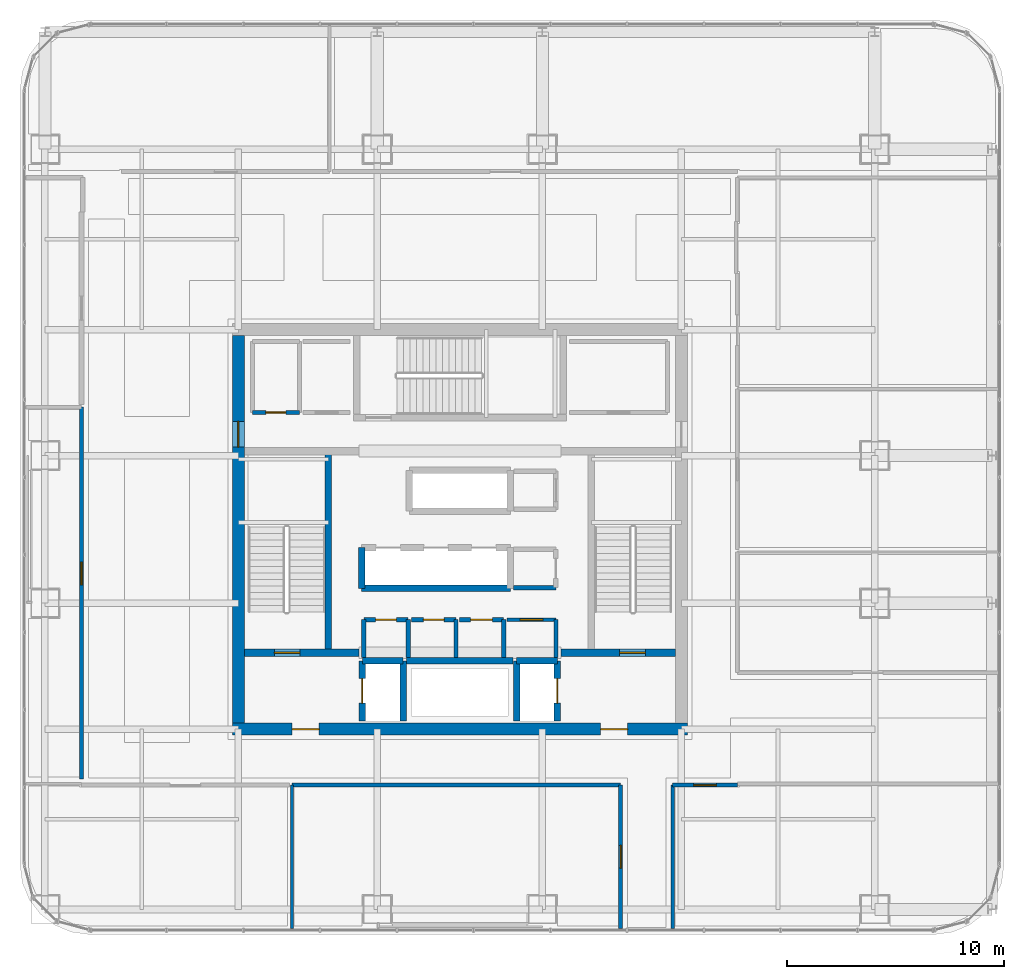
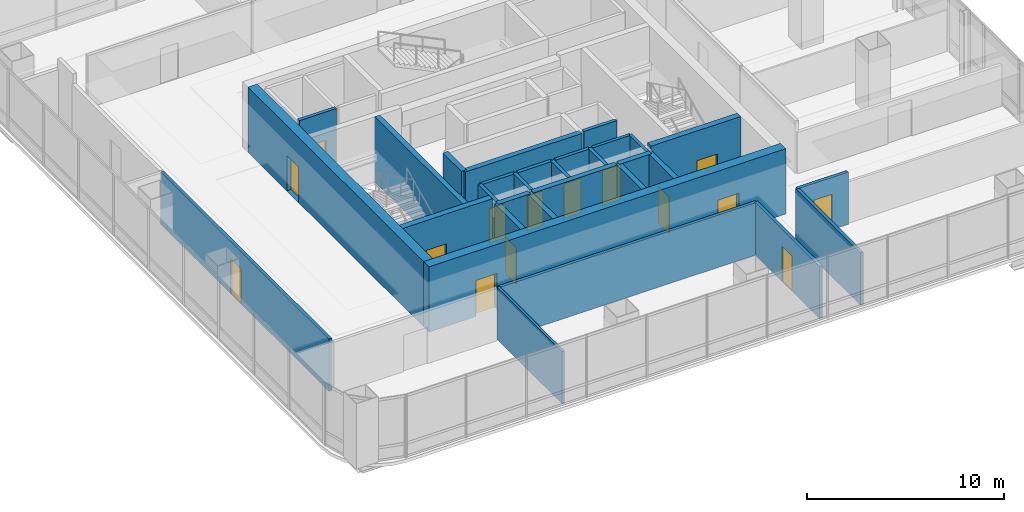
# One storey, part 33 of 42: 31 walls, 15 doors, 15 openings.
"""IFC4 building model written with IfcOpenShell, lengths in metres."""

import ifcopenshell
import ifcopenshell.guid

model = None  # the IFC model being written
_history = None  # IfcOwnerHistory: only IFC2X3 demands one
_inside = {}  # id of a spatial element -> (the spatial element, [elements in it])
_under = {}  # id of a project, library or spatial element -> (it, [spatial elements below it])
_declared = {}  # id of a project -> (the project, [libraries it declares])
_typed = {}  # id of a type object -> (the type object, [elements of that type])
_made_of = {}  # id of a material, layer set ... -> (it, [elements and type objects made of it])


def new_model(schema):
    """Start an empty IFC model of exactly this schema.

    Asked for "IFC4X3", IfcOpenShell would pick the latest addendum, in which some entities
    have other attributes; the version numbers below select the first issue.
    IFC2X3 requires an IfcOwnerHistory on every rooted entity: one is made here for all.
    """
    global model, _history
    if schema == "IFC4X3":
        model = ifcopenshell.file(schema_version=(4, 3, 0, 0))
    else:
        model = ifcopenshell.file(schema=schema)
    _inside.clear()
    _under.clear()
    _declared.clear()
    _typed.clear()
    _made_of.clear()
    _history = None
    if model.schema == "IFC2X3":
        org = make("IfcOrganization", Name="unknown")
        user = make(
            "IfcPersonAndOrganization",
            ThePerson=make("IfcPerson", FamilyName="unknown"),
            TheOrganization=org,
        )
        app = make(
            "IfcApplication",
            ApplicationDeveloper=org,
            Version="unknown",
            ApplicationFullName="unknown",
            ApplicationIdentifier="unknown",
        )
        _history = make(
            "IfcOwnerHistory",
            OwningUser=user,
            OwningApplication=app,
            ChangeAction="ADDED",
            CreationDate=0,
        )
    return model


def make(cls, **values):
    """One entity of the class cls with the attributes given. An attribute that is None is left unset."""
    return model.create_entity(
        cls, **{name: value for name, value in values.items() if value is not None}
    )


def rooted(cls, **values):
    """An entity with a GlobalId (a new one), such as an element, a storey or a relation."""
    return make(cls, GlobalId=ifcopenshell.guid.new(), OwnerHistory=_history, **values)


def si_unit(unit_type, name, prefix=None):
    """IfcSIUnit, for example si_unit("LENGTHUNIT", "METRE", prefix="MILLI")."""
    return make("IfcSIUnit", UnitType=unit_type, Prefix=prefix, Name=name)


def assignment(units):
    """IfcUnitAssignment: the units of a project."""
    return None if units is None else make("IfcUnitAssignment", Units=units)


def point(xyz):
    """IfcCartesianPoint."""
    return None if xyz is None else make("IfcCartesianPoint", Coordinates=xyz)


def direction(xyz):
    """IfcDirection."""
    return None if xyz is None else make("IfcDirection", DirectionRatios=xyz)


def frame(location, z_axis=None, x_axis=None):
    """IfcAxis2Placement3D, a coordinate frame: its origin and axes. An axis left out is left unset."""
    return make(
        "IfcAxis2Placement3D",
        Location=point(location),
        Axis=direction(z_axis),
        RefDirection=direction(x_axis),
    )


def frame_2d(location, x_axis=None):
    """IfcAxis2Placement2D, a coordinate frame in the plane: its origin and x axis."""
    return make(
        "IfcAxis2Placement2D", Location=point(location), RefDirection=direction(x_axis)
    )


def origin():
    """The frame at (0, 0, 0) with its axes left unset."""
    return frame((0.0, 0.0, 0.0))


def place(relative_to, where):
    """IfcLocalPlacement: puts the frame where relative to a parent placement (None: the world)."""
    return make(
        "IfcLocalPlacement", PlacementRelTo=relative_to, RelativePlacement=where
    )


def context(
    kind, dimensions, precision=None, world=None, true_north=None, identifier=None
):
    """IfcGeometricRepresentationContext, for example the 3D "Model" context."""
    return make(
        "IfcGeometricRepresentationContext",
        ContextIdentifier=identifier,
        ContextType=kind,
        CoordinateSpaceDimension=dimensions,
        Precision=precision,
        WorldCoordinateSystem=world,
        TrueNorth=true_north,
    )


def subcontext(parent, identifier, kind, view, scale=None):
    """IfcGeometricRepresentationSubContext, for example "Body" below "Model"."""
    return make(
        "IfcGeometricRepresentationSubContext",
        ContextIdentifier=identifier,
        ContextType=kind,
        ParentContext=parent,
        TargetScale=scale,
        TargetView=view,
    )


def project(units=None, contexts=None):
    """IfcProject with its units and contexts."""
    return rooted(
        "IfcProject",
        Name="project",
        RepresentationContexts=contexts,
        UnitsInContext=assignment(units),
    )


def spatial(cls, under=None, at=None, **own):
    """A site, building, storey or space (cls), placed at a placement, below another one or the project."""
    s = rooted(cls, ObjectPlacement=at, **own)
    if under is not None:
        _under.setdefault(under.id(), (under, []))[1].append(s)
    return s


def profile(cls, at=None, kind="AREA", **sizes):
    """A parametric profile (cls). Its sizes go by their IFC names, for example OverallWidth=200.0."""
    return make(cls, ProfileType=kind, Position=at, **sizes)


def rectangle(**sizes):
    """IfcRectangleProfileDef."""
    return profile("IfcRectangleProfileDef", **sizes)


def extrude(swept, where, along, depth):
    """IfcExtrudedAreaSolid: the profile swept, set in the frame where, extruded along a direction by depth."""
    return make(
        "IfcExtrudedAreaSolid",
        SweptArea=swept,
        Position=where,
        ExtrudedDirection=direction(along),
        Depth=depth,
    )


def shape(context_of_items, identifier, shape_type, items):
    """IfcShapeRepresentation: the items that make up one representation, for example the "Body"."""
    return make(
        "IfcShapeRepresentation",
        ContextOfItems=context_of_items,
        RepresentationIdentifier=identifier,
        RepresentationType=shape_type,
        Items=items,
    )


def material(Name=None, Category=None):
    """IfcMaterial."""
    return make("IfcMaterial", Name=Name, Category=Category)


def layer(
    of_material, thickness, ventilated=None, Name=None, Category=None, Priority=None
):
    """IfcMaterialLayer: one layer of a wall or slab, of a material (None: an air gap)."""
    return make(
        "IfcMaterialLayer",
        Material=of_material,
        LayerThickness=thickness,
        IsVentilated=ventilated,
        Name=Name,
        Category=Category,
        Priority=Priority,
    )


def layer_set(layers, Name=None):
    """IfcMaterialLayerSet."""
    return make("IfcMaterialLayerSet", MaterialLayers=layers, LayerSetName=Name)


def made_of(thing, what):
    """Note that an element or type object is made of a material, layer set ...; save() writes the relation."""
    if what is not None:
        _made_of.setdefault(what.id(), (what, []))[1].append(thing)
    return thing


def type_object(cls, material=None, **own):
    """A type object (cls), such as IfcWallType, which elements share."""
    return made_of(rooted(cls, **own), material)


def element(
    cls,
    number,
    at=None,
    inside=None,
    cuts=None,
    type_object=None,
    material=None,
    context=None,
    identifier="Body",
    shape_type=None,
    held_by="IfcProductDefinitionShape",
    body=None,
    shapes=None,
    **own,
):
    """One element of the class cls, such as IfcWall. Its Tag is "e" and its number.

    at: its placement. inside: the storey or other place that contains it. cuts: it is an
    opening in that element (IfcRelVoidsElement). A single representation is given by context,
    identifier, shape_type and body (its items); several are given by shapes. held_by: the class
    of the entity that holds the representations. save() writes the other relations.
    """
    e = rooted(cls, Tag="e%d" % number, ObjectPlacement=at, **own)
    if body is not None:
        shapes = [shape(context, identifier, shape_type, body)]
    if shapes is not None:
        e.Representation = make(held_by, Representations=shapes)
    if inside is not None:
        _inside.setdefault(inside.id(), (inside, []))[1].append(e)
    if cuts is not None:
        rooted(
            "IfcRelVoidsElement", RelatingBuildingElement=cuts, RelatedOpeningElement=e
        )
    if type_object is not None:
        _typed.setdefault(type_object.id(), (type_object, []))[1].append(e)
    return made_of(e, material)


def fill(opening, filler):
    """IfcRelFillsElement: the door or window that sits in an opening."""
    return rooted(
        "IfcRelFillsElement",
        RelatingOpeningElement=opening,
        RelatedBuildingElement=filler,
    )


def aggregate(whole, parts):
    """IfcRelAggregates: a whole, such as a stair, and the parts it consists of."""
    return rooted("IfcRelAggregates", RelatingObject=whole, RelatedObjects=parts)


def save(model, path):
    """Write the relations noted so far, then the file.

    IfcRelAggregates (storeys below a building ...), IfcRelContainedInSpatialStructure (elements
    in a storey), IfcRelDefinesByType, IfcRelAssociatesMaterial and IfcRelDeclares: one each for
    every whole, place, type object, material and project.
    """
    for whole, parts in _under.values():
        aggregate(whole, parts)
    for where, things in _inside.values():
        rooted(
            "IfcRelContainedInSpatialStructure",
            RelatedElements=things,
            RelatingStructure=where,
        )
    for kind, things in _typed.values():
        rooted("IfcRelDefinesByType", RelatedObjects=things, RelatingType=kind)
    for what, things in _made_of.values():
        rooted("IfcRelAssociatesMaterial", RelatedObjects=things, RelatingMaterial=what)
    for by, libraries in _declared.values():
        rooted("IfcRelDeclares", RelatingContext=by, RelatedDefinitions=libraries)
    model.write(path)


model = new_model("IFC4")

# Units and contexts
model_context = context("Model", 3, precision=1e-05, world=origin(), true_north=direction((0.0, 1.0)))
body_context = subcontext(model_context, "Body", "Model", "MODEL_VIEW")
ifc_project = project(units=[si_unit("LENGTHUNIT", "METRE"), si_unit("AREAUNIT", "SQUARE_METRE"), si_unit("VOLUMEUNIT", "CUBIC_METRE"), si_unit("PLANEANGLEUNIT", "RADIAN"), si_unit("MASSUNIT", "GRAM", prefix="KILO")], contexts=[model_context])

# Site, building, storey
site_placement = place(None, origin())
site = spatial("IfcSite", under=ifc_project, at=site_placement, CompositionType="ELEMENT")
building_placement = place(site_placement, origin())
building = spatial("IfcBuilding", under=site, at=building_placement, Name="Punatoya Terracotta Tower", CompositionType="ELEMENT")
storey_placement = place(building_placement, frame((0.0, 0.0, 259.5)))
storey = spatial("IfcBuildingStorey", under=building, at=storey_placement, Name="L61", CompositionType="ELEMENT", Elevation=259.5)

# Wall, openings, doors
ifc_material_1 = material(Name="Concrete C50/60", Category="concrete")
ifc_layer_1 = layer(ifc_material_1, 0.550048828125)
ifc_layer_set_1 = layer_set([ifc_layer_1], Name="Concrete C50/60")
wall_type_1 = type_object("IfcWallType", Name="WL-COR-550", PredefinedType="SHEAR", material=ifc_layer_set_1)
wall_1_placement = place(storey_placement, frame((10.47509765625, -9.199951171875, 0.0), z_axis=(0.0, 0.0, 1.0), x_axis=(-1.0, 0.0, 0.0)))
wall_1 = element("IfcWall", 1, at=wall_1_placement, inside=storey, type_object=wall_type_1, Name="L61 Core Shear Wall S", PredefinedType="SHEAR", context=body_context, shape_type="SweptSolid", body=[
    extrude(rectangle(XDim=20.9501953125, YDim=0.550048828125, at=frame_2d((10.47509765625, 0.0))), origin(), (0.0, 0.0, 1.0), 4.050048828125),
])
opening_1_placement = place(wall_1_placement, frame((2.75, 0.0, 0.0)))
opening_1 = element("IfcOpeningElement", 2, at=opening_1_placement, cuts=wall_1, Name="Opening FD-L1", PredefinedType="OPENING", context=body_context, shape_type="SweptSolid", body=[
    extrude(rectangle(XDim=1.25, YDim=2.25, at=frame_2d((0.625, 1.125))), frame((0.0, 0.284912109375, 0.0), z_axis=(0.0, -1.0, 0.0), x_axis=(1.0, 0.0, 0.0)), (0.0, 0.0, 1.0), 0.570068359375),
])
opening_2_placement = place(wall_1_placement, frame((16.949951171875, 0.0, 0.0)))
opening_2 = element("IfcOpeningElement", 3, at=opening_2_placement, cuts=wall_1, Name="Opening FD-L1", PredefinedType="OPENING", context=body_context, shape_type="SweptSolid", body=[
    extrude(rectangle(XDim=1.25, YDim=2.25, at=frame_2d((0.625, 1.125))), frame((0.0, 0.284912109375, 0.0), z_axis=(0.0, -1.0, 0.0), x_axis=(1.0, 0.0, 0.0)), (0.0, 0.0, 1.0), 0.570068359375),
])
ifc_material_2 = material(Name="Galvanised Steel Smokeproof Fire Door", Category="steel")
door_type_1 = type_object("IfcDoorType", Name="DR-FFL-1250", OperationType="NOTDEFINED", PredefinedType="DOOR", material=ifc_material_2)
door_1_placement = place(opening_1_placement, origin())
door_1 = element("IfcDoor", 4, at=door_1_placement, inside=storey, type_object=door_type_1, Name="L61 East Firefighting Lobby Corridor Fire Door", OperationType="SINGLE_SWING_LEFT", OverallHeight=2.25, OverallWidth=1.25, PredefinedType="DOOR", context=body_context, shape_type="SweptSolid", body=[
    extrude(rectangle(XDim=1.25, YDim=2.25, at=frame_2d((0.625, 1.125))), frame((0.0, 0.02490234375, 0.0), z_axis=(0.0, -1.0, 0.0), x_axis=(1.0, 0.0, 0.0)), (0.0, 0.0, 1.0), 0.050048828125),
])
fill(opening_1, door_1)
door_2_placement = place(opening_2_placement, origin())
door_2 = element("IfcDoor", 5, at=door_2_placement, inside=storey, type_object=door_type_1, Name="L61 West Firefighting Lobby Corridor Fire Door", OperationType="SINGLE_SWING_RIGHT", OverallHeight=2.25, OverallWidth=1.25, PredefinedType="DOOR", context=body_context, shape_type="SweptSolid", body=[
    extrude(rectangle(XDim=1.25, YDim=2.25, at=frame_2d((0.625, 1.125))), frame((0.0, 0.02490234375, 0.0), z_axis=(0.0, -1.0, 0.0), x_axis=(1.0, 0.0, 0.0)), (0.0, 0.0, 1.0), 0.050048828125),
])
fill(opening_2, door_2)

# Wall, opening, door
wall_2_placement = place(storey_placement, frame((-10.199951171875, -8.925048828125, 0.0), z_axis=(0.0, 0.0, 1.0), x_axis=(0.0, 1.0, 0.0)))
wall_2 = element("IfcWall", 6, at=wall_2_placement, inside=storey, type_object=wall_type_1, Name="L61 Core Shear Wall W", PredefinedType="SHEAR", context=body_context, shape_type="SweptSolid", body=[
    extrude(rectangle(XDim=17.85009765625, YDim=0.550048828125, at=frame_2d((8.925048828125, 0.0))), origin(), (0.0, 0.0, 1.0), 4.050048828125),
])
opening_3_placement = place(wall_2_placement, frame((12.715087890625, 0.0, 0.0)))
opening_3 = element("IfcOpeningElement", 7, at=opening_3_placement, cuts=wall_2, Name="Opening SD-01", PredefinedType="OPENING", context=body_context, shape_type="SweptSolid", body=[
    extrude(rectangle(XDim=1.179931640625, YDim=2.199951171875, at=frame_2d((0.58984375, 1.10009765625))), frame((0.0, 0.284912109375, 0.0), z_axis=(0.0, -1.0, 0.0), x_axis=(1.0, 0.0, 0.0)), (0.0, 0.0, 1.0), 0.570068359375),
])
ifc_material_3 = material(Name="Galvanised Steel Pressurized Stair Fire Door", Category="steel")
door_type_2 = type_object("IfcDoorType", Name="DR-STR-1180", OperationType="NOTDEFINED", PredefinedType="DOOR", material=ifc_material_3)
door_3_placement = place(opening_3_placement, origin())
door_3 = element("IfcDoor", 8, at=door_3_placement, inside=storey, type_object=door_type_2, Name="L61 Central Lift Lobby West Fire Door", OperationType="SINGLE_SWING_LEFT", OverallHeight=2.199951171875, OverallWidth=1.179931640625, PredefinedType="DOOR", context=body_context, shape_type="SweptSolid", body=[
    extrude(rectangle(XDim=1.179931640625, YDim=2.199951171875, at=frame_2d((0.58984375, 1.10009765625))), frame((0.0, 0.02490234375, 0.0), z_axis=(0.0, -1.0, 0.0), x_axis=(1.0, 0.0, 0.0)), (0.0, 0.0, 1.0), 0.050048828125),
])
fill(opening_3, door_3)

# Wall
ifc_material_4 = material(Name="Gypsum Fireboard + Steel Stud", Category="steel")
ifc_layer_2 = layer(ifc_material_4, 0.179931640625)
ifc_layer_set_2 = layer_set([ifc_layer_2], Name="Gypsum Fireboard + Steel Stud")
wall_type_2 = type_object("IfcWallType", Name="WL-CORR-180", PredefinedType="PARTITIONING", material=ifc_layer_set_2)
wall_3_placement = place(storey_placement, frame((4.419921875, -5.89990234375, 0.0), z_axis=(0.0, 0.0, 1.0), x_axis=(0.0, 1.0, 0.0)))
element("IfcWall", 9, at=wall_3_placement, inside=storey, type_object=wall_type_2, Name="L61 Core Reprographics Studio Partition 08", PredefinedType="PARTITIONING", context=body_context, shape_type="SweptSolid", body=[
    extrude(rectangle(XDim=1.739990234375, YDim=0.179931640625, at=frame_2d((0.8701171875, 0.0))), origin(), (0.0, 0.0, 1.0), 3.85009765625),
])

# Wall, opening, door
wall_4_placement = place(storey_placement, frame((4.419921875, -4.159912109375, 0.0), z_axis=(0.0, 0.0, 1.0), x_axis=(-1.0, 0.0, 0.0)))
wall_4 = element("IfcWall", 10, at=wall_4_placement, inside=storey, type_object=wall_type_2, Name="L61 Core Reprographics Studio Partition 09", PredefinedType="PARTITIONING", context=body_context, shape_type="SweptSolid", body=[
    extrude(rectangle(XDim=2.239990234375, YDim=0.179931640625, at=frame_2d((1.1201171875, 0.0))), origin(), (0.0, 0.0, 1.0), 3.85009765625),
])
opening_4_placement = place(wall_4_placement, frame((0.594970703125, 0.0, 0.0)))
opening_4 = element("IfcOpeningElement", 11, at=opening_4_placement, cuts=wall_4, Name="Opening OD-01", PredefinedType="OPENING", context=body_context, shape_type="SweptSolid", body=[
    extrude(rectangle(XDim=1.050048828125, YDim=2.199951171875, at=frame_2d((0.52490234375, 1.10009765625))), frame((0.0, 0.099853515625, 0.0), z_axis=(0.0, -1.0, 0.0), x_axis=(1.0, 0.0, 0.0)), (0.0, 0.0, 1.0), 0.199951171875),
])
ifc_material_5 = material(Name="Bengal Teak Solid-Core Leaf")
door_type_3 = type_object("IfcDoorType", Name="DR-OFF-1050", OperationType="NOTDEFINED", PredefinedType="DOOR", material=ifc_material_5)
door_4_placement = place(opening_4_placement, origin())
door_4 = element("IfcDoor", 12, at=door_4_placement, inside=storey, type_object=door_type_3, Name="L61 Reprographics Studio Door", OperationType="SINGLE_SWING_RIGHT", OverallHeight=2.199951171875, OverallWidth=1.050048828125, PredefinedType="DOOR", context=body_context, shape_type="SweptSolid", body=[
    extrude(rectangle(XDim=1.050048828125, YDim=2.199951171875, at=frame_2d((0.52490234375, 1.10009765625))), frame((0.0, 0.02490234375, 0.0), z_axis=(0.0, -1.0, 0.0), x_axis=(1.0, 0.0, 0.0)), (0.0, 0.0, 1.0), 0.050048828125),
])
fill(opening_4, door_4)

wall_5_placement = place(storey_placement, frame((7.39990234375, -11.77001953125, 0.0), z_axis=(0.0, 0.0, 1.0), x_axis=(0.0, -1.0, 0.0)))
wall_5 = element("IfcWall", 13, at=wall_5_placement, inside=storey, type_object=wall_type_2, Name="L61 Open-Plan Client Media Salon Partition 25", PredefinedType="PARTITIONING", context=body_context, shape_type="SweptSolid", body=[
    extrude(rectangle(XDim=6.60009765625, YDim=0.179931640625, at=frame_2d((3.300048828125, 0.0))), origin(), (0.0, 0.0, 1.0), 3.243896484375),
])
opening_5_placement = place(wall_5_placement, frame((2.77490234375, 0.0, 0.0)))
opening_5 = element("IfcOpeningElement", 14, at=opening_5_placement, cuts=wall_5, Name="Opening OD-01", PredefinedType="OPENING", context=body_context, shape_type="SweptSolid", body=[
    extrude(rectangle(XDim=1.050048828125, YDim=2.199951171875, at=frame_2d((0.52490234375, 1.10009765625))), frame((0.0, 0.099853515625, 0.0), z_axis=(0.0, -1.0, 0.0), x_axis=(1.0, 0.0, 0.0)), (0.0, 0.0, 1.0), 0.199951171875),
])
door_5_placement = place(opening_5_placement, origin())
door_5 = element("IfcDoor", 15, at=door_5_placement, inside=storey, type_object=door_type_3, Name="L61 Open-Plan Client Media Salon Door", OperationType="SINGLE_SWING_RIGHT", OverallHeight=2.199951171875, OverallWidth=1.050048828125, PredefinedType="DOOR", context=body_context, shape_type="SweptSolid", body=[
    extrude(rectangle(XDim=1.050048828125, YDim=2.199951171875, at=frame_2d((0.52490234375, 1.10009765625))), frame((0.0, 0.02490234375, 0.0), z_axis=(0.0, -1.0, 0.0), x_axis=(1.0, 0.0, 0.0)), (0.0, 0.0, 1.0), 0.050048828125),
])
fill(opening_5, door_5)

# Wall
wall_6_placement = place(storey_placement, frame((-7.72607421875, -11.77001953125, 0.0), z_axis=(0.0, 0.0, 1.0), x_axis=(1.0, 0.0, 0.0)))
element("IfcWall", 16, at=wall_6_placement, inside=storey, type_object=wall_type_2, Name="L61 Open-Plan Client Media Salon Partition 27", PredefinedType="PARTITIONING", context=body_context, shape_type="SweptSolid", body=[
    extrude(rectangle(XDim=15.1259765625, YDim=0.179931640625, at=frame_2d((7.56298828125, 0.0))), origin(), (0.0, 0.0, 1.0), 3.243896484375),
])

# Wall, opening, door
wall_7_placement = place(storey_placement, frame((9.800048828125, -11.77001953125, 0.0), z_axis=(0.0, 0.0, 1.0), x_axis=(1.0, 0.0, 0.0)))
wall_7 = element("IfcWall", 17, at=wall_7_placement, inside=storey, type_object=wall_type_2, Name="L61 Open-Plan Graphic Design Workplace Partition 30", PredefinedType="PARTITIONING", context=body_context, shape_type="SweptSolid", body=[
    extrude(rectangle(XDim=2.969970703125, YDim=0.179931640625, at=frame_2d((1.48486328125, 0.0))), origin(), (0.0, 0.0, 1.0), 3.243896484375),
])
opening_6_placement = place(wall_7_placement, frame((0.9599609375, 0.0, 0.0)))
opening_6 = element("IfcOpeningElement", 18, at=opening_6_placement, cuts=wall_7, Name="Opening OD-01", PredefinedType="OPENING", context=body_context, shape_type="SweptSolid", body=[
    extrude(rectangle(XDim=1.050048828125, YDim=2.199951171875, at=frame_2d((0.52490234375, 1.10009765625))), frame((0.0, 0.099853515625, 0.0), z_axis=(0.0, -1.0, 0.0), x_axis=(1.0, 0.0, 0.0)), (0.0, 0.0, 1.0), 0.199951171875),
])
door_6_placement = place(opening_6_placement, origin())
door_6 = element("IfcDoor", 19, at=door_6_placement, inside=storey, type_object=door_type_3, Name="L61 Open-Plan Graphic Design Workplace Door", OperationType="SINGLE_SWING_RIGHT", OverallHeight=2.199951171875, OverallWidth=1.050048828125, PredefinedType="DOOR", context=body_context, shape_type="SweptSolid", body=[
    extrude(rectangle(XDim=1.050048828125, YDim=2.199951171875, at=frame_2d((0.52490234375, 1.10009765625))), frame((0.0, 0.02490234375, 0.0), z_axis=(0.0, -1.0, 0.0), x_axis=(1.0, 0.0, 0.0)), (0.0, 0.0, 1.0), 0.050048828125),
])
fill(opening_6, door_6)

# Wall
wall_8_placement = place(storey_placement, frame((9.800048828125, -18.3701171875, 0.0), z_axis=(0.0, 0.0, 1.0), x_axis=(0.0, 1.0, 0.0)))
element("IfcWall", 20, at=wall_8_placement, inside=storey, type_object=wall_type_2, Name="L61 Open-Plan Graphic Design Workplace Partition 32", PredefinedType="PARTITIONING", context=body_context, shape_type="SweptSolid", body=[
    extrude(rectangle(XDim=6.60009765625, YDim=0.179931640625, at=frame_2d((3.300048828125, 0.0))), origin(), (0.0, 0.0, 1.0), 3.243896484375),
])

# Wall, opening, door
wall_9_placement = place(storey_placement, frame((-17.419921875, 5.6259765625, 0.0), z_axis=(0.0, 0.0, 1.0), x_axis=(0.0, -1.0, 0.0)))
wall_9 = element("IfcWall", 21, at=wall_9_placement, inside=storey, type_object=wall_type_2, Name="L61 Open-Plan Hospitality Tea Pantry Partition 37", PredefinedType="PARTITIONING", context=body_context, shape_type="SweptSolid", body=[
    extrude(rectangle(XDim=17.115966796875, YDim=0.179931640625, at=frame_2d((8.55810546875, 0.0))), origin(), (0.0, 0.0, 1.0), 3.243896484375),
])
opening_7_placement = place(wall_9_placement, frame((7.133056640625, 0.0, 0.0)))
opening_7 = element("IfcOpeningElement", 22, at=opening_7_placement, cuts=wall_9, Name="Opening OD-01", PredefinedType="OPENING", context=body_context, shape_type="SweptSolid", body=[
    extrude(rectangle(XDim=1.050048828125, YDim=2.199951171875, at=frame_2d((0.52490234375, 1.10009765625))), frame((0.0, 0.099853515625, 0.0), z_axis=(0.0, -1.0, 0.0), x_axis=(1.0, 0.0, 0.0)), (0.0, 0.0, 1.0), 0.199951171875),
])
door_7_placement = place(opening_7_placement, origin())
door_7 = element("IfcDoor", 23, at=door_7_placement, inside=storey, type_object=door_type_3, Name="L61 Open-Plan Hospitality Tea Pantry Door", OperationType="SINGLE_SWING_RIGHT", OverallHeight=2.199951171875, OverallWidth=1.050048828125, PredefinedType="DOOR", context=body_context, shape_type="SweptSolid", body=[
    extrude(rectangle(XDim=1.050048828125, YDim=2.199951171875, at=frame_2d((0.52490234375, 1.10009765625))), frame((0.0, 0.02490234375, 0.0), z_axis=(0.0, -1.0, 0.0), x_axis=(1.0, 0.0, 0.0)), (0.0, 0.0, 1.0), 0.050048828125),
])
fill(opening_7, door_7)

# Wall
ifc_material_6 = material(Name="Concrete C40/50", Category="concrete")
ifc_layer_3 = layer(ifc_material_6, 0.199951171875)
ifc_layer_set_3 = layer_set([ifc_layer_3], Name="Concrete C40/50")
wall_type_3 = type_object("IfcWallType", Name="WL-INT-200", PredefinedType="SOLIDWALL", material=ifc_layer_set_3)
wall_10_placement = place(storey_placement, frame((-2.3798828125, -5.89990234375, 0.0), z_axis=(0.0, 0.0, 1.0), x_axis=(0.0, 1.0, 0.0)))
element("IfcWall", 24, at=wall_10_placement, inside=storey, type_object=wall_type_3, Name="L61 Male Washroom Partition 01", PredefinedType="SOLIDWALL", context=body_context, shape_type="SweptSolid", body=[
    extrude(rectangle(XDim=1.739990234375, YDim=0.199951171875, at=frame_2d((0.8701171875, 0.0))), origin(), (0.0, 0.0, 1.0), 3.85009765625),
])

# Wall, opening, door
wall_11_placement = place(storey_placement, frame((-2.3798828125, -4.159912109375, 0.0), z_axis=(0.0, 0.0, 1.0), x_axis=(-1.0, 0.0, 0.0)))
wall_11 = element("IfcWall", 25, at=wall_11_placement, inside=storey, type_object=wall_type_3, Name="L61 Male Washroom Partition 02", PredefinedType="SOLIDWALL", context=body_context, shape_type="SweptSolid", body=[
    extrude(rectangle(XDim=2.0400390625, YDim=0.199951171875, at=frame_2d((1.02001953125, 0.0))), origin(), (0.0, 0.0, 1.0), 3.85009765625),
])
opening_8_placement = place(wall_11_placement, frame((0.544921875, 0.0, 0.0)))
opening_8 = element("IfcOpeningElement", 26, at=opening_8_placement, cuts=wall_11, Name="Opening WD-01", PredefinedType="OPENING", context=body_context, shape_type="SweptSolid", body=[
    extrude(rectangle(XDim=0.949951171875, YDim=2.14990234375, at=frame_2d((0.47509765625, 1.074951171875))), frame((0.0, 0.10986328125, 0.0), z_axis=(0.0, -1.0, 0.0), x_axis=(1.0, 0.0, 0.0)), (0.0, 0.0, 1.0), 0.219970703125),
])
ifc_material_7 = material(Name="Moisture-Resistant Laminate Timber Leaf", Category="wood")
door_type_4 = type_object("IfcDoorType", Name="DR-WC-950", OperationType="NOTDEFINED", PredefinedType="DOOR", material=ifc_material_7)
door_8_placement = place(opening_8_placement, origin())
door_8 = element("IfcDoor", 27, at=door_8_placement, inside=storey, type_object=door_type_4, Name="L61 Male Washroom Door", OperationType="SINGLE_SWING_LEFT", OverallHeight=2.14990234375, OverallWidth=0.949951171875, PredefinedType="DOOR", context=body_context, shape_type="SweptSolid", body=[
    extrude(rectangle(XDim=0.949951171875, YDim=2.14990234375, at=frame_2d((0.47509765625, 1.074951171875))), frame((0.0, 0.02490234375, 0.0), z_axis=(0.0, -1.0, 0.0), x_axis=(1.0, 0.0, 0.0)), (0.0, 0.0, 1.0), 0.050048828125),
])
fill(opening_8, door_8)

# Walls
for number, where, z_axis, x_axis, name in (
    (28, (-4.419921875, -4.159912109375, 0.0), (0.0, 0.0, 1.0), (0.0, -1.0, 0.0), "L61 Male Washroom Partition 03"),
    (29, (-0.179931640625, -5.89990234375, 0.0), (0.0, 0.0, 1.0), (0.0, 1.0, 0.0), "L61 Female Washroom Partition 04"),
):
    element("IfcWall", number, at=place(storey_placement, frame(where, z_axis=z_axis, x_axis=x_axis)), inside=storey, type_object=wall_type_3, Name=name, PredefinedType="SOLIDWALL", context=body_context, shape_type="SweptSolid", body=[
        extrude(rectangle(XDim=1.739990234375, YDim=0.199951171875, at=frame_2d((0.8701171875, 0.0))), origin(), (0.0, 0.0, 1.0), 3.85009765625),
    ])

# Wall, opening, door
wall_12_placement = place(storey_placement, frame((-0.179931640625, -4.159912109375, 0.0), z_axis=(0.0, 0.0, 1.0), x_axis=(-1.0, 0.0, 0.0)))
wall_12 = element("IfcWall", 30, at=wall_12_placement, inside=storey, type_object=wall_type_3, Name="L61 Female Washroom Partition 05", PredefinedType="SOLIDWALL", context=body_context, shape_type="SweptSolid", body=[
    extrude(rectangle(XDim=2.0400390625, YDim=0.199951171875, at=frame_2d((1.02001953125, 0.0))), origin(), (0.0, 0.0, 1.0), 3.85009765625),
])
opening_9_placement = place(wall_12_placement, frame((0.544921875, 0.0, 0.0)))
opening_9 = element("IfcOpeningElement", 31, at=opening_9_placement, cuts=wall_12, Name="Opening WD-01", PredefinedType="OPENING", context=body_context, shape_type="SweptSolid", body=[
    extrude(rectangle(XDim=0.949951171875, YDim=2.14990234375, at=frame_2d((0.47509765625, 1.074951171875))), frame((0.0, 0.10986328125, 0.0), z_axis=(0.0, -1.0, 0.0), x_axis=(1.0, 0.0, 0.0)), (0.0, 0.0, 1.0), 0.219970703125),
])
door_9_placement = place(opening_9_placement, origin())
door_9 = element("IfcDoor", 32, at=door_9_placement, inside=storey, type_object=door_type_4, Name="L61 Female Washroom Door", OperationType="SINGLE_SWING_RIGHT", OverallHeight=2.14990234375, OverallWidth=0.949951171875, PredefinedType="DOOR", context=body_context, shape_type="SweptSolid", body=[
    extrude(rectangle(XDim=0.949951171875, YDim=2.14990234375, at=frame_2d((0.47509765625, 1.074951171875))), frame((0.0, 0.02490234375, 0.0), z_axis=(0.0, -1.0, 0.0), x_axis=(1.0, 0.0, 0.0)), (0.0, 0.0, 1.0), 0.050048828125),
])
fill(opening_9, door_9)

# Wall
wall_13_placement = place(storey_placement, frame((2.02001953125, -5.89990234375, 0.0), z_axis=(0.0, 0.0, 1.0), x_axis=(0.0, 1.0, 0.0)))
element("IfcWall", 33, at=wall_13_placement, inside=storey, type_object=wall_type_3, Name="L61 Accessible Universal Washroom Partition 06", PredefinedType="SOLIDWALL", context=body_context, shape_type="SweptSolid", body=[
    extrude(rectangle(XDim=1.739990234375, YDim=0.199951171875, at=frame_2d((0.8701171875, 0.0))), origin(), (0.0, 0.0, 1.0), 3.85009765625),
])

# Wall, opening, door
wall_14_placement = place(storey_placement, frame((2.02001953125, -4.159912109375, 0.0), z_axis=(0.0, 0.0, 1.0), x_axis=(-1.0, 0.0, 0.0)))
wall_14 = element("IfcWall", 34, at=wall_14_placement, inside=storey, type_object=wall_type_3, Name="L61 Accessible Universal Washroom Partition 07", PredefinedType="SOLIDWALL", context=body_context, shape_type="SweptSolid", body=[
    extrude(rectangle(XDim=2.0400390625, YDim=0.199951171875, at=frame_2d((1.02001953125, 0.0))), origin(), (0.0, 0.0, 1.0), 3.85009765625),
])
opening_10_placement = place(wall_14_placement, frame((0.52001953125, 0.0, 0.0)))
opening_10 = element("IfcOpeningElement", 35, at=opening_10_placement, cuts=wall_14, Name="Opening AWD-1", PredefinedType="OPENING", context=body_context, shape_type="SweptSolid", body=[
    extrude(rectangle(XDim=1.0, YDim=2.14990234375, at=frame_2d((0.5, 1.074951171875))), frame((0.0, 0.10986328125, 0.0), z_axis=(0.0, -1.0, 0.0), x_axis=(1.0, 0.0, 0.0)), (0.0, 0.0, 1.0), 0.219970703125),
])
ifc_material_8 = material(Name="Bengal Teak Accessible WC Leaf")
door_type_5 = type_object("IfcDoorType", Name="DR-ACC-1000", OperationType="NOTDEFINED", PredefinedType="DOOR", material=ifc_material_8)
door_10_placement = place(opening_10_placement, origin())
door_10 = element("IfcDoor", 36, at=door_10_placement, inside=storey, type_object=door_type_5, Name="L61 Accessible Universal Washroom Door", OperationType="SINGLE_SWING_LEFT", OverallHeight=2.14990234375, OverallWidth=1.0, PredefinedType="DOOR", context=body_context, shape_type="SweptSolid", body=[
    extrude(rectangle(XDim=1.0, YDim=2.14990234375, at=frame_2d((0.5, 1.074951171875))), frame((0.0, 0.02490234375, 0.0), z_axis=(0.0, -1.0, 0.0), x_axis=(1.0, 0.0, 0.0)), (0.0, 0.0, 1.0), 0.050048828125),
])
fill(opening_10, door_10)

# Wall
wall_15_placement = place(storey_placement, frame((2.47998046875, -2.679931640625, 0.0), z_axis=(0.0, 0.0, 1.0), x_axis=(1.0, 0.0, 0.0)))
element("IfcWall", 37, at=wall_15_placement, inside=storey, type_object=wall_type_3, Name="L61 East Core Reprographics Store Partition 12", PredefinedType="SOLIDWALL", context=body_context, shape_type="SweptSolid", body=[
    extrude(rectangle(XDim=1.93994140625, YDim=0.199951171875, at=frame_2d((0.969970703125, 0.0))), origin(), (0.0, 0.0, 1.0), 3.85009765625),
])

# Wall, opening, door
wall_16_placement = place(storey_placement, frame((-9.550048828125, 5.3798828125, 0.0), z_axis=(0.0, 0.0, 1.0), x_axis=(1.0, 0.0, 0.0)))
wall_16 = element("IfcWall", 38, at=wall_16_placement, inside=storey, type_object=wall_type_3, Name="L61 West Core Archive Vault Partition 19", PredefinedType="SOLIDWALL", context=body_context, shape_type="SweptSolid", body=[
    extrude(rectangle(XDim=2.170166015625, YDim=0.199951171875, at=frame_2d((1.0849609375, 0.0))), origin(), (0.0, 0.0, 1.0), 3.85009765625),
])
opening_11_placement = place(wall_16_placement, frame((0.625, 0.0, 0.0)))
opening_11 = element("IfcOpeningElement", 39, at=opening_11_placement, cuts=wall_16, Name="Opening FD-R1", PredefinedType="OPENING", context=body_context, shape_type="SweptSolid", body=[
    extrude(rectangle(XDim=0.919921875, YDim=2.10009765625, at=frame_2d((0.4599609375, 1.050048828125))), frame((0.0, 0.10986328125, 0.0), z_axis=(0.0, -1.0, 0.0), x_axis=(1.0, 0.0, 0.0)), (0.0, 0.0, 1.0), 0.219970703125),
])
ifc_material_9 = material(Name="Galvanised Steel Riser Fire Access Door", Category="steel")
door_type_6 = type_object("IfcDoorType", Name="DR-RSR-920", OperationType="NOTDEFINED", PredefinedType="DOOR", material=ifc_material_9)
door_11_placement = place(opening_11_placement, origin())
door_11 = element("IfcDoor", 40, at=door_11_placement, inside=storey, type_object=door_type_6, Name="L61 West Core Archive Vault Fire Door", OperationType="SINGLE_SWING_LEFT", OverallHeight=2.10009765625, OverallWidth=0.919921875, PredefinedType="DOOR", context=body_context, shape_type="SweptSolid", body=[
    extrude(rectangle(XDim=0.919921875, YDim=2.10009765625, at=frame_2d((0.4599609375, 1.050048828125))), frame((0.0, 0.02490234375, 0.0), z_axis=(0.0, -1.0, 0.0), x_axis=(1.0, 0.0, 0.0)), (0.0, 0.0, 1.0), 0.050048828125),
])
fill(opening_11, door_11)

# Walls
ifc_material_10 = material(Name="Acoustic Gypsum + Steel Stud", Category="steel")
ifc_layer_4 = layer(ifc_material_10, 0.139892578125)
ifc_layer_set_4 = layer_set([ifc_layer_4], Name="Acoustic Gypsum + Steel Stud")
wall_type_4 = type_object("IfcWallType", Name="WL-OFF-140", PredefinedType="PARTITIONING", material=ifc_layer_set_4)
wall_17_placement = place(storey_placement, frame((-7.72607421875, -18.3701171875, 0.0), z_axis=(0.0, 0.0, 1.0), x_axis=(0.0, 1.0, 0.0)))
element("IfcWall", 41, at=wall_17_placement, inside=storey, type_object=wall_type_4, Name="L61 Open-Plan Client Media Salon Partition 26", PredefinedType="PARTITIONING", context=body_context, shape_type="SweptSolid", body=[
    extrude(rectangle(XDim=6.60009765625, YDim=0.139892578125, at=frame_2d((3.300048828125, 0.0))), origin(), (0.0, 0.0, 1.0), 3.243896484375),
])
ifc_layer_5 = layer(ifc_material_6, 0.300048828125)
ifc_layer_set_5 = layer_set([ifc_layer_5], Name="Concrete C40/50")
wall_type_5 = type_object("IfcWallType", Name="WL-SHF-300", PredefinedType="SOLIDWALL", material=ifc_layer_set_5)
wall_18_placement = place(storey_placement, frame((-6.050048828125, -5.5, 0.0), z_axis=(0.0, 0.0, 1.0), x_axis=(0.0, 1.0, 0.0)))
element("IfcWall", 42, at=wall_18_placement, inside=storey, type_object=wall_type_5, Name="L61 Structural Stair Shaft Wall SW-ST1-E", PredefinedType="SOLIDWALL", context=body_context, shape_type="SweptSolid", body=[
    extrude(rectangle(XDim=8.949951171875, YDim=0.300048828125, at=frame_2d((4.47509765625, 0.0))), origin(), (0.0, 0.0, 1.0), 4.050048828125),
])

# Wall, opening, door
wall_19_placement = place(storey_placement, frame((-4.489990234375, -8.820068359375, 0.0), z_axis=(0.0, 0.0, 1.0), x_axis=(0.0, 1.0, 0.0)))
wall_19 = element("IfcWall", 43, at=wall_19_placement, inside=storey, type_object=wall_type_5, Name="L61 FFL-1 Front Hoistway Wall", PredefinedType="SOLIDWALL", context=body_context, shape_type="SweptSolid", body=[
    extrude(rectangle(XDim=2.77001953125, YDim=0.300048828125, at=frame_2d((1.385009765625, 0.0))), origin(), (0.0, 0.0, 1.0), 3.85009765625),
])
opening_12_placement = place(wall_19_placement, frame((0.824951171875, 0.0, 0.0)))
opening_12 = element("IfcOpeningElement", 44, at=opening_12_placement, cuts=wall_19, Name="Opening LD-02", PredefinedType="OPENING", context=body_context, shape_type="SweptSolid", body=[
    extrude(rectangle(XDim=1.1201171875, YDim=2.25, at=frame_2d((0.56005859375, 1.125))), frame((0.0, 0.159912109375, 0.0), z_axis=(0.0, -1.0, 0.0), x_axis=(1.0, 0.0, 0.0)), (0.0, 0.0, 1.0), 0.320068359375),
])
ifc_material_11 = material(Name="Stainless Steel Lift Landing Door", Category="steel")
door_type_7 = type_object("IfcDoorType", Name="DR-LND-1120", OperationType="NOTDEFINED", PredefinedType="DOOR", material=ifc_material_11)
door_12_placement = place(opening_12_placement, origin())
door_12 = element("IfcDoor", 45, at=door_12_placement, inside=storey, type_object=door_type_7, Name="L61 Firefighting Lift FFL-1 Sliding Landing Door", OperationType="SLIDING_TO_LEFT", OverallHeight=2.25, OverallWidth=1.1201171875, PredefinedType="DOOR", context=body_context, shape_type="SweptSolid", body=[
    extrude(rectangle(XDim=1.1201171875, YDim=2.25, at=frame_2d((0.56005859375, 1.125))), frame((0.0, 0.02490234375, 0.0), z_axis=(0.0, -1.0, 0.0), x_axis=(1.0, 0.0, 0.0)), (0.0, 0.0, 1.0), 0.050048828125),
])
fill(opening_12, door_12)

# Walls
wall_20_placement = place(storey_placement, frame((-2.610107421875, -8.820068359375, 0.0), z_axis=(0.0, 0.0, 1.0), x_axis=(0.0, 1.0, 0.0)))
element("IfcWall", 46, at=wall_20_placement, inside=storey, type_object=wall_type_5, Name="L61 FFL-1 Rear Hoistway Wall", PredefinedType="SOLIDWALL", context=body_context, shape_type="SweptSolid", body=[
    extrude(rectangle(XDim=2.77001953125, YDim=0.300048828125, at=frame_2d((1.385009765625, 0.0))), origin(), (0.0, 0.0, 1.0), 3.85009765625),
])
wall_21_placement = place(storey_placement, frame((-4.489990234375, -6.050048828125, 0.0), z_axis=(0.0, 0.0, 1.0), x_axis=(1.0, 0.0, 0.0)))
element("IfcWall", 47, at=wall_21_placement, inside=storey, type_object=wall_type_5, Name="L61 FFL-1 North Hoistway Wall", PredefinedType="SOLIDWALL", context=body_context, shape_type="SweptSolid", body=[
    extrude(rectangle(XDim=1.8798828125, YDim=0.300048828125, at=frame_2d((0.93994140625, 0.0))), origin(), (0.0, 0.0, 1.0), 3.85009765625),
])

# Wall, opening, door
wall_22_placement = place(storey_placement, frame((4.489990234375, -8.820068359375, 0.0), z_axis=(0.0, 0.0, 1.0), x_axis=(0.0, 1.0, 0.0)))
wall_22 = element("IfcWall", 48, at=wall_22_placement, inside=storey, type_object=wall_type_5, Name="L61 FFL-2 Front Hoistway Wall", PredefinedType="SOLIDWALL", context=body_context, shape_type="SweptSolid", body=[
    extrude(rectangle(XDim=2.77001953125, YDim=0.300048828125, at=frame_2d((1.385009765625, 0.0))), origin(), (0.0, 0.0, 1.0), 3.85009765625),
])
opening_13_placement = place(wall_22_placement, frame((0.824951171875, 0.0, 0.0)))
opening_13 = element("IfcOpeningElement", 49, at=opening_13_placement, cuts=wall_22, Name="Opening LD-02", PredefinedType="OPENING", context=body_context, shape_type="SweptSolid", body=[
    extrude(rectangle(XDim=1.1201171875, YDim=2.25, at=frame_2d((0.56005859375, 1.125))), frame((0.0, 0.159912109375, 0.0), z_axis=(0.0, -1.0, 0.0), x_axis=(1.0, 0.0, 0.0)), (0.0, 0.0, 1.0), 0.320068359375),
])
door_13_placement = place(opening_13_placement, origin())
door_13 = element("IfcDoor", 50, at=door_13_placement, inside=storey, type_object=door_type_7, Name="L61 Firefighting Lift FFL-2 Sliding Landing Door", OperationType="SLIDING_TO_RIGHT", OverallHeight=2.25, OverallWidth=1.1201171875, PredefinedType="DOOR", context=body_context, shape_type="SweptSolid", body=[
    extrude(rectangle(XDim=1.1201171875, YDim=2.25, at=frame_2d((0.56005859375, 1.125))), frame((0.0, 0.02490234375, 0.0), z_axis=(0.0, -1.0, 0.0), x_axis=(1.0, 0.0, 0.0)), (0.0, 0.0, 1.0), 0.050048828125),
])
fill(opening_13, door_13)

# Walls
wall_23_placement = place(storey_placement, frame((2.610107421875, -8.820068359375, 0.0), z_axis=(0.0, 0.0, 1.0), x_axis=(0.0, 1.0, 0.0)))
element("IfcWall", 51, at=wall_23_placement, inside=storey, type_object=wall_type_5, Name="L61 FFL-2 Rear Hoistway Wall", PredefinedType="SOLIDWALL", context=body_context, shape_type="SweptSolid", body=[
    extrude(rectangle(XDim=2.77001953125, YDim=0.300048828125, at=frame_2d((1.385009765625, 0.0))), origin(), (0.0, 0.0, 1.0), 3.85009765625),
])
wall_24_placement = place(storey_placement, frame((2.610107421875, -6.050048828125, 0.0), z_axis=(0.0, 0.0, 1.0), x_axis=(1.0, 0.0, 0.0)))
element("IfcWall", 52, at=wall_24_placement, inside=storey, type_object=wall_type_5, Name="L61 FFL-2 North Hoistway Wall", PredefinedType="SOLIDWALL", context=body_context, shape_type="SweptSolid", body=[
    extrude(rectangle(XDim=1.8798828125, YDim=0.300048828125, at=frame_2d((0.93994140625, 0.0))), origin(), (0.0, 0.0, 1.0), 3.85009765625),
])
wall_25_placement = place(storey_placement, frame((-4.52001953125, -2.719970703125, 0.0), z_axis=(0.0, 0.0, 1.0), x_axis=(1.0, 0.0, 0.0)))
element("IfcWall", 53, at=wall_25_placement, inside=storey, type_object=wall_type_5, Name="L61 South Lift Bank Rear Shaft Wall", PredefinedType="SOLIDWALL", context=body_context, shape_type="SweptSolid", body=[
    extrude(rectangle(XDim=6.840087890625, YDim=0.300048828125, at=frame_2d((3.419921875, 0.0))), origin(), (0.0, 0.0, 1.0), 3.85009765625),
])
wall_26_placement = place(storey_placement, frame((-4.52001953125, -2.719970703125, 0.0), z_axis=(0.0, 0.0, 1.0), x_axis=(0.0, 1.0, 0.0)))
element("IfcWall", 54, at=wall_26_placement, inside=storey, type_object=wall_type_5, Name="L61 South Lift Bank West End Wall", PredefinedType="SOLIDWALL", context=body_context, shape_type="SweptSolid", body=[
    extrude(rectangle(XDim=1.8798828125, YDim=0.300048828125, at=frame_2d((0.93994140625, 0.0))), origin(), (0.0, 0.0, 1.0), 3.85009765625),
])
wall_27_placement = place(storey_placement, frame((-2.449951171875, -6.050048828125, 0.0), z_axis=(0.0, 0.0, 1.0), x_axis=(1.0, 0.0, 0.0)))
element("IfcWall", 55, at=wall_27_placement, inside=storey, type_object=wall_type_5, Name="L61 Observation Shuttle Rear Hoistway Wall", PredefinedType="SOLIDWALL", context=body_context, shape_type="SweptSolid", body=[
    extrude(rectangle(XDim=4.89990234375, YDim=0.300048828125, at=frame_2d((2.449951171875, 0.0))), origin(), (0.0, 0.0, 1.0), 3.85009765625),
])

# Wall, opening, door
ifc_layer_6 = layer(ifc_material_1, 0.35009765625)
ifc_layer_set_6 = layer_set([ifc_layer_6], Name="Concrete C50/60")
wall_type_6 = type_object("IfcWallType", Name="WL-SHF-350", PredefinedType="SOLIDWALL", material=ifc_layer_set_6)
wall_28_placement = place(storey_placement, frame((-9.925048828125, -5.679931640625, 0.0), z_axis=(0.0, 0.0, 1.0), x_axis=(1.0, 0.0, 0.0)))
wall_28 = element("IfcWall", 56, at=wall_28_placement, inside=storey, type_object=wall_type_6, Name="L61 Core Web Wall CSW-L", PredefinedType="SOLIDWALL", context=body_context, shape_type="SweptSolid", body=[
    extrude(rectangle(XDim=5.275146484375, YDim=0.35009765625, at=frame_2d((2.6376953125, 0.0))), origin(), (0.0, 0.0, 1.0), 4.050048828125),
])
opening_14_placement = place(wall_28_placement, frame((1.385009765625, 0.0, 0.0)))
opening_14 = element("IfcOpeningElement", 57, at=opening_14_placement, cuts=wall_28, Name="Opening SD-01", PredefinedType="OPENING", context=body_context, shape_type="SweptSolid", body=[
    extrude(rectangle(XDim=1.179931640625, YDim=2.199951171875, at=frame_2d((0.58984375, 1.10009765625))), frame((0.0, 0.18505859375, 0.0), z_axis=(0.0, -1.0, 0.0), x_axis=(1.0, 0.0, 0.0)), (0.0, 0.0, 1.0), 0.3701171875),
])
door_14_placement = place(opening_14_placement, origin())
door_14 = element("IfcDoor", 58, at=door_14_placement, inside=storey, type_object=door_type_2, Name="L61 Stair ST-1 Smokeproof Lobby Fire Door", OperationType="SINGLE_SWING_LEFT", OverallHeight=2.199951171875, OverallWidth=1.179931640625, PredefinedType="DOOR", context=body_context, shape_type="SweptSolid", body=[
    extrude(rectangle(XDim=1.179931640625, YDim=2.199951171875, at=frame_2d((0.58984375, 1.10009765625))), frame((0.0, 0.02490234375, 0.0), z_axis=(0.0, -1.0, 0.0), x_axis=(1.0, 0.0, 0.0)), (0.0, 0.0, 1.0), 0.050048828125),
])
fill(opening_14, door_14)

wall_29_placement = place(storey_placement, frame((4.64990234375, -5.679931640625, 0.0), z_axis=(0.0, 0.0, 1.0), x_axis=(1.0, 0.0, 0.0)))
wall_29 = element("IfcWall", 59, at=wall_29_placement, inside=storey, type_object=wall_type_6, Name="L61 Core Web Wall CSW-R", PredefinedType="SOLIDWALL", context=body_context, shape_type="SweptSolid", body=[
    extrude(rectangle(XDim=5.275146484375, YDim=0.35009765625, at=frame_2d((2.6376953125, 0.0))), origin(), (0.0, 0.0, 1.0), 4.050048828125),
])
opening_15_placement = place(wall_29_placement, frame((2.7099609375, 0.0, 0.0)))
opening_15 = element("IfcOpeningElement", 60, at=opening_15_placement, cuts=wall_29, Name="Opening SD-01", PredefinedType="OPENING", context=body_context, shape_type="SweptSolid", body=[
    extrude(rectangle(XDim=1.179931640625, YDim=2.199951171875, at=frame_2d((0.58984375, 1.10009765625))), frame((0.0, 0.18505859375, 0.0), z_axis=(0.0, -1.0, 0.0), x_axis=(1.0, 0.0, 0.0)), (0.0, 0.0, 1.0), 0.3701171875),
])
door_15_placement = place(opening_15_placement, origin())
door_15 = element("IfcDoor", 61, at=door_15_placement, inside=storey, type_object=door_type_2, Name="L61 Stair ST-2 Smokeproof Lobby Fire Door", OperationType="SINGLE_SWING_RIGHT", OverallHeight=2.199951171875, OverallWidth=1.179931640625, PredefinedType="DOOR", context=body_context, shape_type="SweptSolid", body=[
    extrude(rectangle(XDim=1.179931640625, YDim=2.199951171875, at=frame_2d((0.58984375, 1.10009765625))), frame((0.0, 0.02490234375, 0.0), z_axis=(0.0, -1.0, 0.0), x_axis=(1.0, 0.0, 0.0)), (0.0, 0.0, 1.0), 0.050048828125),
])
fill(opening_15, door_15)

save(model, "model.ifc")
